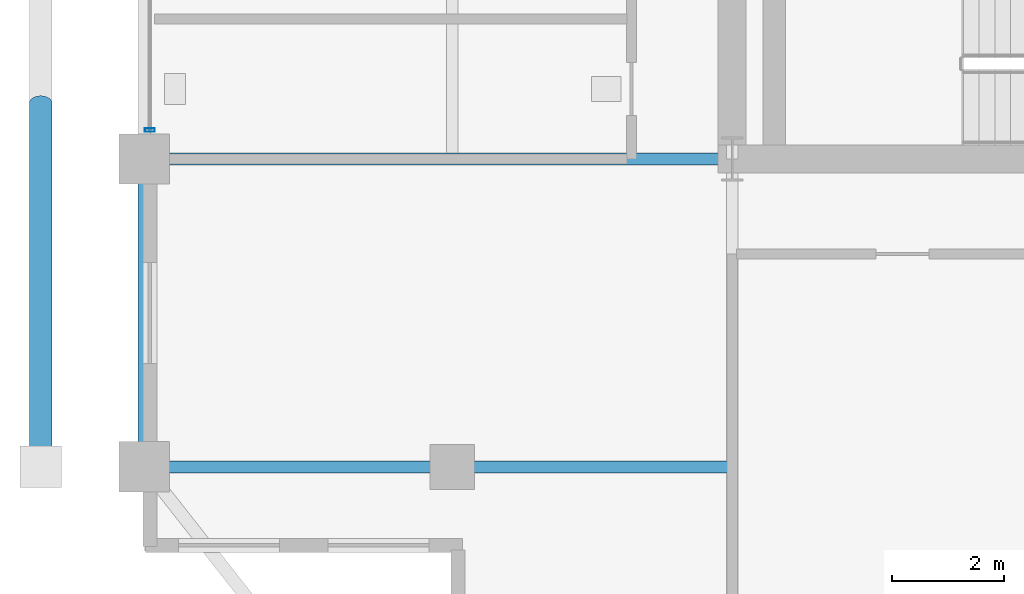
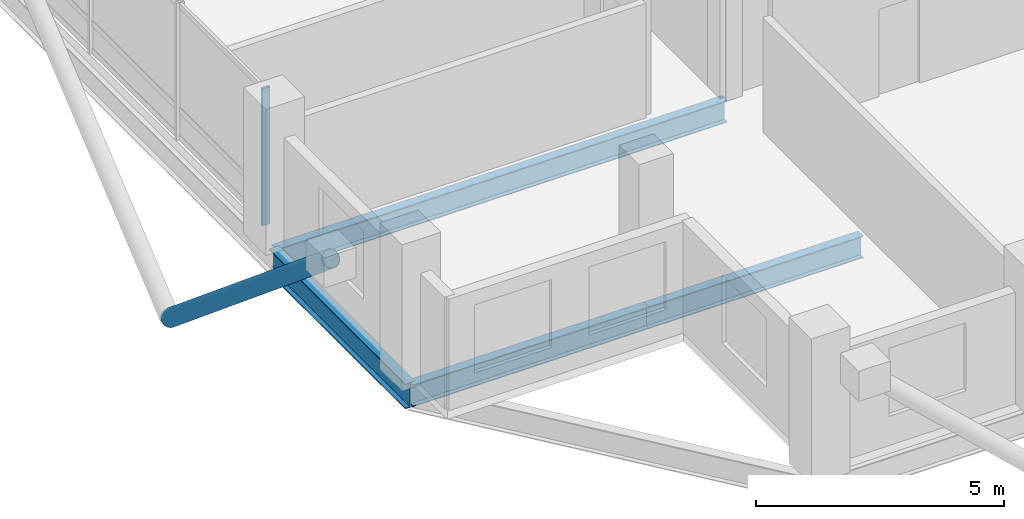
# One storey, part 3 of 23: 4 beams, 2 members, 1 element without a shape of its own.
"""IFC4 building model written with IfcOpenShell, lengths in metres."""

from ifc_helpers import new_model, si_unit, direction, frame, origin, origin_2d, place, context, subcontext, project, spatial, hollow_rectangle, hollow_circle, i_section, extrude, material, layer, layer_set, material_profile, profile_set, type_object, element, aggregate, save


model = new_model("IFC4")

# Units and contexts
model_context = context("Model", 3, precision=1e-05, world=origin(), true_north=direction((0.0, 1.0)))
body_context = subcontext(model_context, "Body", "Model", "MODEL_VIEW")
ifc_project = project(units=[si_unit("LENGTHUNIT", "METRE"), si_unit("AREAUNIT", "SQUARE_METRE"), si_unit("VOLUMEUNIT", "CUBIC_METRE"), si_unit("PLANEANGLEUNIT", "RADIAN"), si_unit("MASSUNIT", "GRAM", prefix="KILO")], contexts=[model_context])

# Site, building, storey
site_placement = place(None, origin())
site = spatial("IfcSite", under=ifc_project, at=site_placement, CompositionType="ELEMENT")
building_placement = place(site_placement, origin())
building = spatial("IfcBuilding", under=site, at=building_placement, Name="Barlavira Tower and Art Museum", CompositionType="ELEMENT")
storey_placement = place(building_placement, frame((0.0, 0.0, 279.89990234375)))
storey = spatial("IfcBuildingStorey", under=building, at=storey_placement, Name="L73", CompositionType="ELEMENT", Elevation=279.89990234375)

# Curtain wall, member
ifc_material_1 = material(Name="Low-iron coastal laminated glass", Category="glass")
ifc_layer = layer(ifc_material_1, 0.2099609375, Name="Low-iron coastal laminated glass")
ifc_layer_set = layer_set([ifc_layer], Name="Low-iron coastal laminated glass")
curtain_wall_type = type_object("IfcCurtainWallType", Name="Pale-Metal Unitised Curtain Wall Zone 4", PredefinedType="NOTDEFINED", material=ifc_layer_set)
curtain_wall_placement = place(storey_placement, origin())
curtain_wall = element("IfcCurtainWall", 1, at=curtain_wall_placement, inside=storey, type_object=curtain_wall_type, Name="L73 Curtain Wall CW4-L73-W-B3", PredefinedType="NOTDEFINED")
ifc_material_2 = material(Name="Pale anodised aluminium", Category="aluminium")
ifc_material_profile_1 = material_profile(ifc_material_2, hollow_rectangle(XDim=0.06494140625, YDim=0.179931640625, WallThickness=0.00390625, at=origin_2d()), Name="ALU-MULL 65x180x4")
ifc_profile_set_1 = profile_set([ifc_material_profile_1], Name="Pale anodised aluminium")
member_type_1 = type_object("IfcMemberType", Name="Curtain Wall Pale-Metal Mullion 65x180", PredefinedType="MULLION", material=ifc_profile_set_1)
member_1_placement = place(storey_placement, frame((-16.89990234375, -6.985107421875, 0.0), z_axis=(0.0, 0.0, 1.0), x_axis=(0.0, -1.0, 0.0)))
member_1 = element("IfcMember", 2, at=member_1_placement, type_object=member_type_1, Name="CW4-L73-W-B3 Mullion 4", PredefinedType="MULLION", context=body_context, shape_type="SweptSolid", body=[
    extrude(hollow_rectangle(XDim=0.06494140625, YDim=0.179931640625, WallThickness=0.00390625, at=origin_2d()), origin(), (0.0, 0.0, 1.0), 3.380126953125),
])
aggregate(curtain_wall, [member_1])

# Member
ifc_material_3 = material(Name="Steel S355", Category="steel")
ifc_material_profile_2 = material_profile(ifc_material_3, hollow_circle(Radius=0.203125, WallThickness=0.01611328125, at=origin_2d()), Name="CHS 406.4x16.0")
ifc_profile_set_2 = profile_set([ifc_material_profile_2], Name="Steel S355")
member_type_2 = type_object("IfcMemberType", Name="Pale-Metal Exoskeleton Diagrid Tube CHS 406x16 Steel S355", PredefinedType="BRACE", material=ifc_profile_set_2)
member_2_placement = place(storey_placement, frame((-18.85009765625, -6.5, -1.919921875), z_axis=(0.0, -0.769196053329, 0.639012857104), x_axis=(1.0, 0.0, 0.0)))
element("IfcMember", 3, at=member_2_placement, inside=storey, type_object=member_type_2, Name="L73 Exoskeleton Diagrid Tube W", PredefinedType="BRACE", context=body_context, shape_type="SweptSolid", body=[
    extrude(hollow_circle(Radius=0.203125, WallThickness=0.01611328125, at=origin_2d()), origin(), (0.0, 0.0, 1.0), 8.450439453125),
])

# Beams
ifc_material_profile_3 = material_profile(ifc_material_3, i_section(OverallWidth=0.22998046875, OverallDepth=0.616943359375, WebThickness=0.01318359375, FlangeThickness=0.022216796875, at=origin_2d()), Name="W610x140.0")
ifc_profile_set_3 = profile_set([ifc_material_profile_3], Name="Steel S355")
beam_type_1 = type_object("IfcBeamType", Name="Upper Shaft Spandrel Edge Beam W610x140 Steel S355", PredefinedType="SPANDREL", material=ifc_profile_set_3)
beam_1_placement = place(storey_placement, frame((-17.0, -13.0, -0.5283203125), z_axis=(0.0, 1.0, 0.0), x_axis=(-1.0, 0.0, 0.0)))
element("IfcBeam", 4, at=beam_1_placement, inside=storey, type_object=beam_type_1, Name="L73 Spandrel 15", PredefinedType="SPANDREL", context=body_context, shape_type="SweptSolid", body=[
    extrude(i_section(OverallWidth=0.22998046875, OverallDepth=0.616943359375, WebThickness=0.01318359375, FlangeThickness=0.022216796875, at=origin_2d()), origin(), (0.0, 0.0, 1.0), 5.5),
])
ifc_material_profile_4 = material_profile(ifc_material_3, i_section(OverallWidth=0.2109375, OverallDepth=0.5390625, WebThickness=0.01171875, FlangeThickness=0.018798828125, at=origin_2d()), Name="W530x109.0")
ifc_profile_set_4 = profile_set([ifc_material_profile_4], Name="Steel S355")
beam_type_2 = type_object("IfcBeamType", Name="Zone 3-4 Primary Floor Girder W530x109 Steel S355", PredefinedType="BEAM", material=ifc_profile_set_4)
beam_2_placement = place(storey_placement, frame((-17.0, -7.5, -0.489501953125), z_axis=(1.0, 0.0, 0.0), x_axis=(0.0, 1.0, 0.0)))
element("IfcBeam", 5, at=beam_2_placement, inside=storey, type_object=beam_type_2, Name="L73 Girder R-W1", PredefinedType="BEAM", context=body_context, shape_type="SweptSolid", body=[
    extrude(i_section(OverallWidth=0.2109375, OverallDepth=0.5390625, WebThickness=0.01171875, FlangeThickness=0.018798828125, at=origin_2d()), origin(), (0.0, 0.0, 1.0), 10.5),
])
beam_3_placement = place(storey_placement, frame((-17.0, -13.0, -0.489501953125), z_axis=(1.0, 0.0, 0.0), x_axis=(0.0, 1.0, 0.0)))
element("IfcBeam", 6, at=beam_3_placement, inside=storey, type_object=beam_type_2, Name="L73 Girder I-S1", PredefinedType="BEAM", context=body_context, shape_type="SweptSolid", body=[
    extrude(i_section(OverallWidth=0.2109375, OverallDepth=0.5390625, WebThickness=0.01171875, FlangeThickness=0.018798828125, at=origin_2d()), origin(), (0.0, 0.0, 1.0), 5.5),
])
beam_4_placement = place(storey_placement, frame((-11.5, -13.0, -0.489501953125), z_axis=(1.0, 0.0, 0.0), x_axis=(0.0, 1.0, 0.0)))
element("IfcBeam", 7, at=beam_4_placement, inside=storey, type_object=beam_type_2, Name="L73 Girder I-S2", PredefinedType="BEAM", context=body_context, shape_type="SweptSolid", body=[
    extrude(i_section(OverallWidth=0.2109375, OverallDepth=0.5390625, WebThickness=0.01171875, FlangeThickness=0.018798828125, at=origin_2d()), origin(), (0.0, 0.0, 1.0), 5.0),
])

save(model, "model.ifc")
